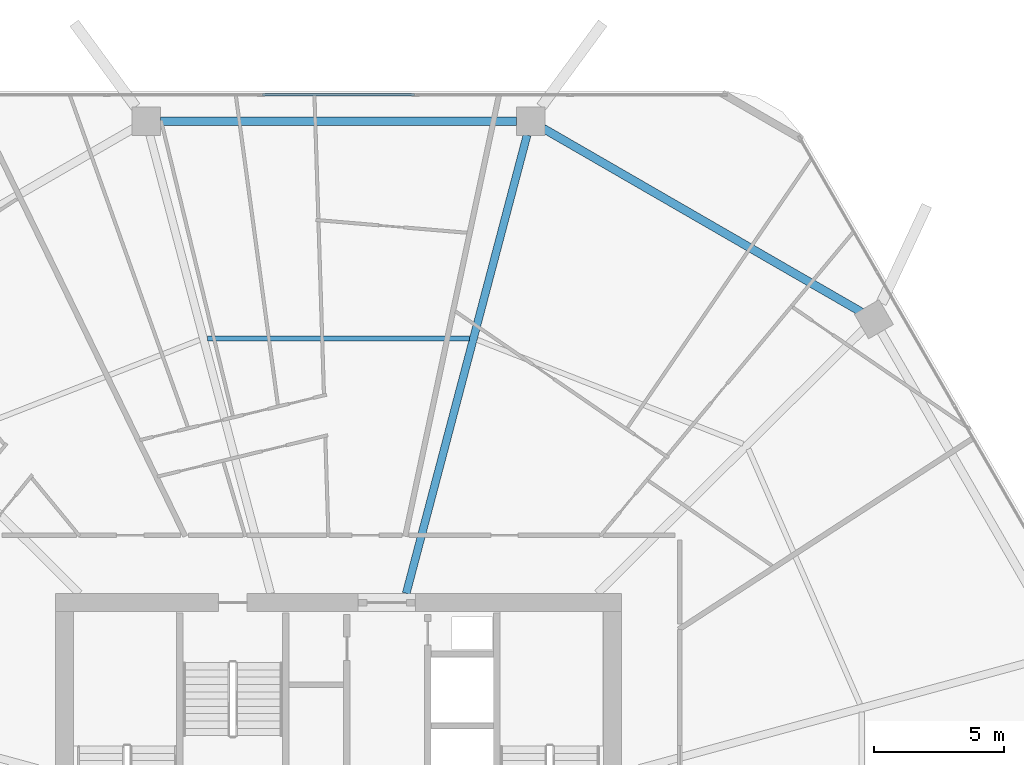
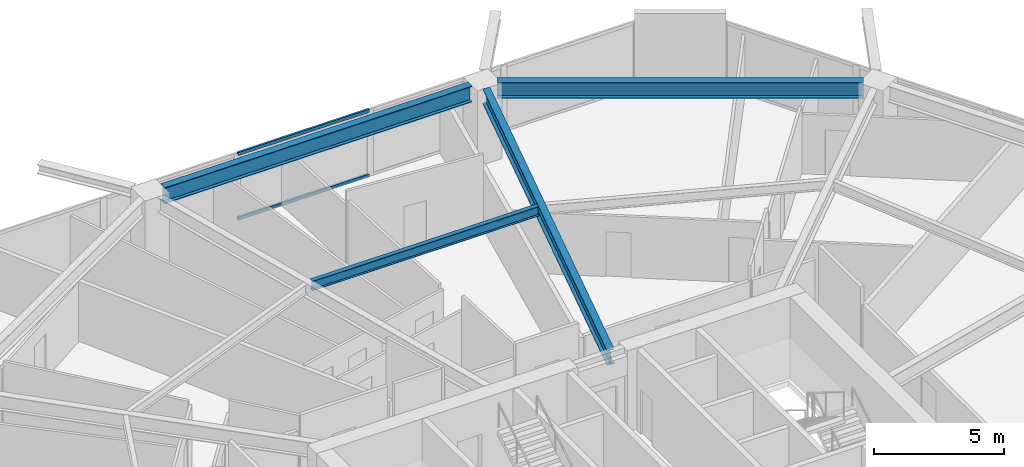
# One storey, part 18 of 32: 4 beams, 2 members, 1 element without a shape of its own.
"""IFC4 building model written with IfcOpenShell, lengths in metres."""

from ifc_helpers import new_model, si_unit, direction, frame, origin, origin_2d, place, context, subcontext, project, spatial, hollow_rectangle, i_section, extrude, material, material_profile, profile_set, type_object, element, aggregate, save


model = new_model("IFC4")

# Units and contexts
model_context = context("Model", 3, precision=1e-05, world=origin(), true_north=direction((0.0, 1.0)))
body_context = subcontext(model_context, "Body", "Model", "MODEL_VIEW")
ifc_project = project(units=[si_unit("LENGTHUNIT", "METRE"), si_unit("AREAUNIT", "SQUARE_METRE"), si_unit("VOLUMEUNIT", "CUBIC_METRE"), si_unit("PLANEANGLEUNIT", "RADIAN"), si_unit("MASSUNIT", "GRAM", prefix="KILO")], contexts=[model_context])

# Site, building, storey
site_placement = place(None, origin())
site = spatial("IfcSite", under=ifc_project, at=site_placement, CompositionType="ELEMENT")
building_placement = place(site_placement, origin())
building = spatial("IfcBuilding", under=site, at=building_placement, Name="Zuhravey Tower", CompositionType="ELEMENT")
storey_placement = place(building_placement, frame((0.0, 0.0, 119.0)))
storey = spatial("IfcBuildingStorey", under=building, at=storey_placement, Name="L29", CompositionType="ELEMENT", Elevation=119.0)

# Curtain wall, members
ifc_material_1 = material(Name="Thermally broken anodised aluminium", Category="aluminium")
curtain_wall_type = type_object("IfcCurtainWallType", Name="Zone 1-2 Residential Curtain Wall CW3", PredefinedType="NOTDEFINED", material=ifc_material_1)
curtain_wall_placement = place(storey_placement, origin())
curtain_wall = element("IfcCurtainWall", 1, at=curtain_wall_placement, inside=storey, type_object=curtain_wall_type, Name="L29 CW3 CW-L29-F2-1", PredefinedType="NOTDEFINED")
ifc_material_2 = material(Name="Anodised aluminium", Category="aluminium")
ifc_material_profile_1 = material_profile(ifc_material_2, hollow_rectangle(XDim=0.090087890625, YDim=0.14990234375, WallThickness=0.0048828125, at=origin_2d()), Name="ALU-RHS-90x150x5")
ifc_profile_set_1 = profile_set([ifc_material_profile_1], Name="Anodised aluminium")
member_type = type_object("IfcMemberType", Name="Curtain-Wall Transom 90x150", PredefinedType="USERDEFINED", material=ifc_profile_set_1)
member_1_placement = place(storey_placement, frame((33.085205078125, 60.95849609375, 0.044921875), z_axis=(1.0, 0.0, 0.0), x_axis=(0.0, 1.0, 0.0)))
member_1 = element("IfcMember", 2, at=member_1_placement, type_object=member_type, Name="CW3 transom 3.1", ObjectType="TRANSOM", PredefinedType="USERDEFINED", context=body_context, shape_type="SweptSolid", body=[
    extrude(hollow_rectangle(XDim=0.090087890625, YDim=0.14990234375, WallThickness=0.0048828125, at=origin_2d()), origin(), (0.0, 0.0, 1.0), 5.82958984375),
])
member_2_placement = place(storey_placement, frame((33.085205078125, 60.95849609375, 3.076904296875), z_axis=(1.0, 0.0, 0.0), x_axis=(0.0, 1.0, 0.0)))
member_2 = element("IfcMember", 3, at=member_2_placement, type_object=member_type, Name="CW3 transom 3.2", ObjectType="TRANSOM", PredefinedType="USERDEFINED", context=body_context, shape_type="SweptSolid", body=[
    extrude(hollow_rectangle(XDim=0.090087890625, YDim=0.14990234375, WallThickness=0.0048828125, at=origin_2d()), origin(), (0.0, 0.0, 1.0), 5.82958984375),
])
aggregate(curtain_wall, [member_1, member_2])

# Beams
ifc_material_3 = material(Name="Steel SM355", Category="steel")
ifc_material_profile_2 = material_profile(ifc_material_3, i_section(OverallWidth=0.320068359375, OverallDepth=0.75, WebThickness=0.013916015625, FlangeThickness=0.02490234375, at=origin_2d()), Name="H-750x320x14x25")
ifc_profile_set_2 = profile_set([ifc_material_profile_2], Name="Steel SM355")
beam_type_1 = type_object("IfcBeamType", Name="Perimeter Ring Beam H750x320", PredefinedType="BEAM", material=ifc_profile_set_2)
beam_1_placement = place(storey_placement, frame((56.0400390625, 52.63330078125, 3.175048828125), z_axis=(-0.866017786538, 0.500013193225, 0.0), x_axis=(-0.500013193225, -0.866017786538, 0.0)))
element("IfcBeam", 4, at=beam_1_placement, inside=storey, type_object=beam_type_1, Name="L29 PB1 BM-L29-PB-02", PredefinedType="BEAM", context=body_context, shape_type="SweptSolid", body=[
    extrude(i_section(OverallWidth=0.320068359375, OverallDepth=0.75, WebThickness=0.013916015625, FlangeThickness=0.02490234375, at=origin_2d()), origin(), (0.0, 0.0, 1.0), 14.0771484375),
])
beam_2_placement = place(storey_placement, frame((42.81689453125, 59.948486328125, 3.175048828125), z_axis=(-1.0, 0.0, 0.0), x_axis=(0.0, -1.0, 0.0)))
element("IfcBeam", 5, at=beam_2_placement, inside=storey, type_object=beam_type_1, Name="L29 PB1 BM-L29-PB-03", PredefinedType="BEAM", context=body_context, shape_type="SweptSolid", body=[
    extrude(i_section(OverallWidth=0.320068359375, OverallDepth=0.75, WebThickness=0.013916015625, FlangeThickness=0.02490234375, at=origin_2d()), origin(), (0.0, 0.0, 1.0), 13.6337890625),
])
ifc_material_profile_3 = material_profile(ifc_material_3, i_section(OverallWidth=0.300048828125, OverallDepth=0.699951171875, WebThickness=0.012939453125, FlangeThickness=0.02392578125, at=origin_2d()), Name="H-700x300x13x24")
ifc_profile_set_3 = profile_set([ifc_material_profile_3], Name="Steel SM355")
beam_type_2 = type_object("IfcBeamType", Name="Radial Primary Girder H700x300", PredefinedType="BEAM", material=ifc_profile_set_3)
beam_3_placement = place(storey_placement, frame((38.59814453125, 41.85302734375, 3.199951171875), z_axis=(0.25498755891, 0.966944333869, 0.0), x_axis=(-0.966944333869, 0.25498755891, 0.0)))
element("IfcBeam", 6, at=beam_3_placement, inside=storey, type_object=beam_type_2, Name="L29 RG1 BM-L29-RAD-03", PredefinedType="BEAM", context=body_context, shape_type="SweptSolid", body=[
    extrude(i_section(OverallWidth=0.300048828125, OverallDepth=0.699951171875, WebThickness=0.012939453125, FlangeThickness=0.02392578125, at=origin_2d()), origin(), (0.0, 0.0, 1.0), 18.1611328125),
])
ifc_material_profile_4 = material_profile(ifc_material_3, i_section(OverallWidth=0.199951171875, OverallDepth=0.449951171875, WebThickness=0.009033203125, FlangeThickness=0.013916015625, at=origin_2d()), Name="H-450x200x9x14")
ifc_profile_set_4 = profile_set([ifc_material_profile_4], Name="Steel SM355")
beam_type_3 = type_object("IfcBeamType", Name="Secondary Floor Joist H450x200", PredefinedType="JOIST", material=ifc_profile_set_4)
beam_4_placement = place(storey_placement, frame((41.02099609375, 51.62451171875, 3.324951171875), z_axis=(-1.0, 0.0, 0.0), x_axis=(0.0, -1.0, 0.0)))
element("IfcBeam", 7, at=beam_4_placement, inside=storey, type_object=beam_type_3, Name="L29 SJ1 BM-L29-SJ-03-1", PredefinedType="JOIST", context=body_context, shape_type="SweptSolid", body=[
    extrude(i_section(OverallWidth=0.199951171875, OverallDepth=0.449951171875, WebThickness=0.009033203125, FlangeThickness=0.013916015625, at=origin_2d()), origin(), (0.0, 0.0, 1.0), 10.0419921875),
])

save(model, "model.ifc")
